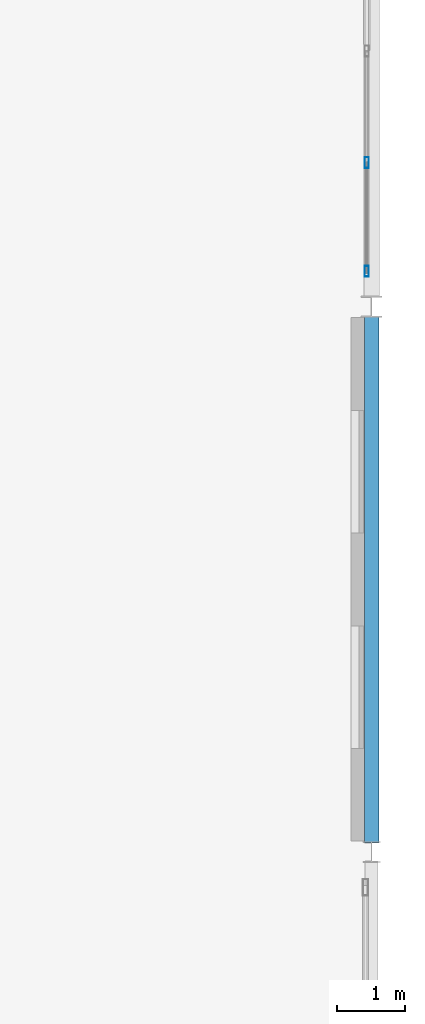
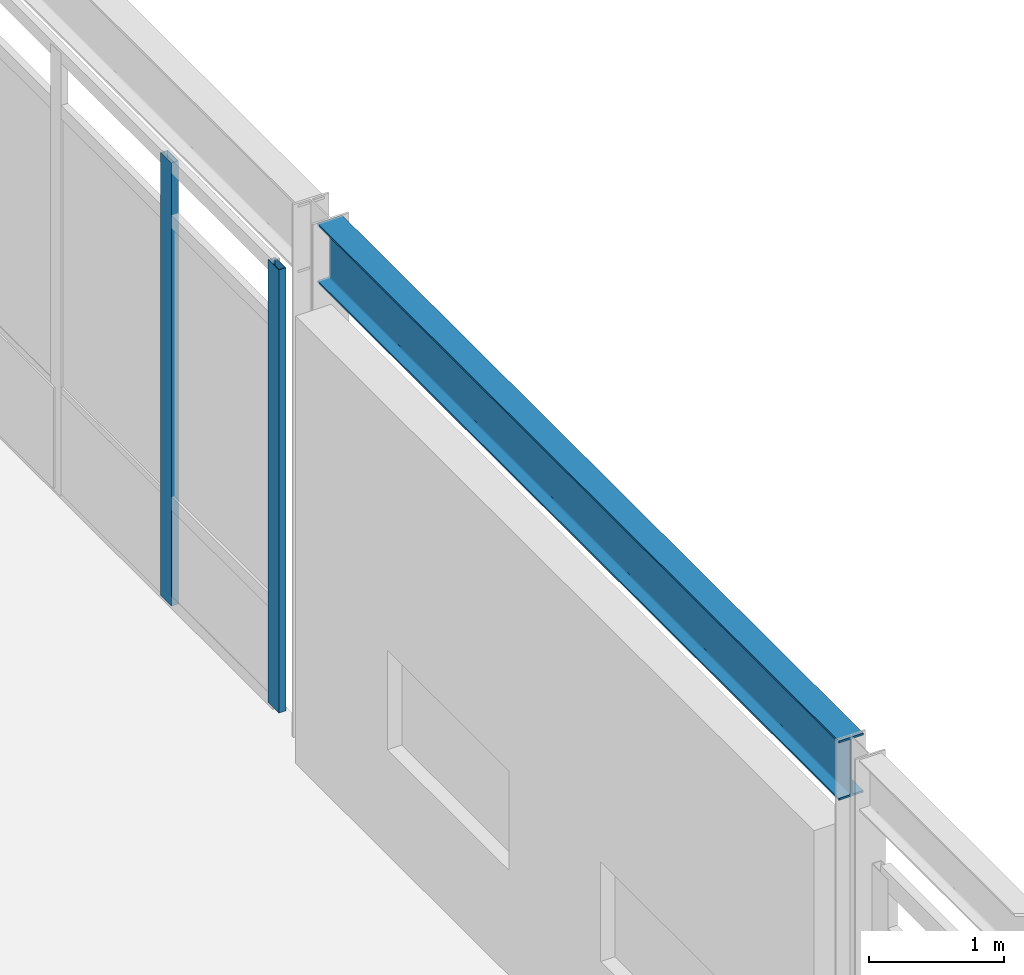
# One storey, part 29 of 56: 2 members, 1 beam, 1 element without a shape of its own.
"""IFC4 building model written with IfcOpenShell, lengths in metres."""

from ifc_helpers import new_model, si_unit, direction, frame, origin, origin_2d, place, context, subcontext, project, spatial, hollow_rectangle, i_section, extrude, material, material_profile, profile_set, type_object, element, aggregate, save


model = new_model("IFC4")

# Units and contexts
model_context = context("Model", 3, precision=1e-05, world=origin(), true_north=direction((0.0, 1.0)))
body_context = subcontext(model_context, "Body", "Model", "MODEL_VIEW")
ifc_project = project(units=[si_unit("LENGTHUNIT", "METRE"), si_unit("AREAUNIT", "SQUARE_METRE"), si_unit("VOLUMEUNIT", "CUBIC_METRE"), si_unit("PLANEANGLEUNIT", "RADIAN"), si_unit("MASSUNIT", "GRAM", prefix="KILO"), si_unit("THERMODYNAMICTEMPERATUREUNIT", "KELVIN"), si_unit("POWERUNIT", "WATT")], contexts=[model_context])

# Site, building, storey
site_placement = place(None, origin())
site = spatial("IfcSite", under=ifc_project, at=site_placement, CompositionType="ELEMENT")
building_placement = place(site_placement, origin())
building = spatial("IfcBuilding", under=site, at=building_placement, Name="Tepalcoro Natatorium and Aquatics Centre", CompositionType="ELEMENT")
storey_placement = place(building_placement, frame((0.0, 0.0, 14.800048828125)))
storey = spatial("IfcBuildingStorey", under=building, at=storey_placement, Name="L03", CompositionType="ELEMENT", Elevation=14.800048828125)

# Curtain wall, members
ifc_material_1 = material(Name="Bronze-Anodised Extruded Aluminium Alloy EN AW-6063 T6", Category="aluminium")
curtain_wall_type = type_object("IfcCurtainWallType", Name="CW_V3_FOYER", PredefinedType="USERDEFINED", material=ifc_material_1)
curtain_wall_placement = place(storey_placement, origin())
curtain_wall = element("IfcCurtainWall", 1, at=curtain_wall_placement, inside=storey, type_object=curtain_wall_type, Name="V2 L03 E Unitised Curtain Wall Bay 6", ObjectType="UNITISED STOREFRONT", PredefinedType="USERDEFINED")
ifc_material_profile_1 = material_profile(ifc_material_1, hollow_rectangle(XDim=0.06005859375, YDim=0.159912109375, WallThickness=0.00390625, at=origin_2d()), Name="AL60X160X4")
ifc_profile_set_1 = profile_set([ifc_material_profile_1], Name="Bronze-Anodised Extruded Aluminium Alloy EN AW-6063 T6")
member_type = type_object("IfcMemberType", Name="CW_MUL_60x160", PredefinedType="MULLION", material=ifc_profile_set_1)
member_1_placement = place(storey_placement, frame((175.9287109375, 44.52001953125, 0.02001953125), z_axis=(0.0, 0.0, 1.0), x_axis=(1.0, 0.0, 0.0)))
member_1 = element("IfcMember", 2, at=member_1_placement, type_object=member_type, Name="CW_V3_FOYER Curtain Wall Mullion", PredefinedType="MULLION", context=body_context, shape_type="SweptSolid", body=[
    extrude(hollow_rectangle(XDim=0.06005859375, YDim=0.159912109375, WallThickness=0.00390625, at=origin_2d()), origin(), (0.0, 0.0, 1.0), 4.010009765625),
])
member_2_placement = place(storey_placement, frame((175.9287109375, 46.114990234375, 0.02001953125), z_axis=(0.0, 0.0, 1.0), x_axis=(1.0, 0.0, 0.0)))
member_2 = element("IfcMember", 3, at=member_2_placement, type_object=member_type, Name="CW_V3_FOYER Curtain Wall Mullion", PredefinedType="MULLION", context=body_context, shape_type="SweptSolid", body=[
    extrude(hollow_rectangle(XDim=0.06005859375, YDim=0.159912109375, WallThickness=0.00390625, at=origin_2d()), origin(), (0.0, 0.0, 1.0), 4.010009765625),
])
aggregate(curtain_wall, [member_1, member_2])

# Beam
ifc_material_2 = material(Name="Steel ASTM A992 Grade 50 (Fy 345 MPa)", Category="steel")
ifc_material_profile_2 = material_profile(ifc_material_2, i_section(OverallWidth=0.2099609375, OverallDepth=0.535888671875, WebThickness=0.010986328125, FlangeThickness=0.01708984375, FilletRadius=0.013916015625, at=origin_2d()), Name="W21X68")
ifc_profile_set_2 = profile_set([ifc_material_profile_2], Name="Steel ASTM A992 Grade 50 (Fy 345 MPa)")
beam_type = type_object("IfcBeamType", Name="SP_W21x68", PredefinedType="SPANDREL", material=ifc_profile_set_2)
beam_placement = place(storey_placement, frame((176.0, 36.132568359375, 4.536865234375), z_axis=(0.0, 1.0, 0.0), x_axis=(-1.0, 0.0, 0.0)))
element("IfcBeam", 4, at=beam_placement, inside=storey, type_object=beam_type, Name="V2 L03 Grid Girder Y", PredefinedType="SPANDREL", context=body_context, shape_type="SweptSolid", body=[
    extrude(i_section(OverallWidth=0.2099609375, OverallDepth=0.535888671875, WebThickness=0.010986328125, FlangeThickness=0.01708984375, FilletRadius=0.013916015625, at=origin_2d()), origin(), (0.0, 0.0, 1.0), 7.73095703125),
])

save(model, "model.ifc")
